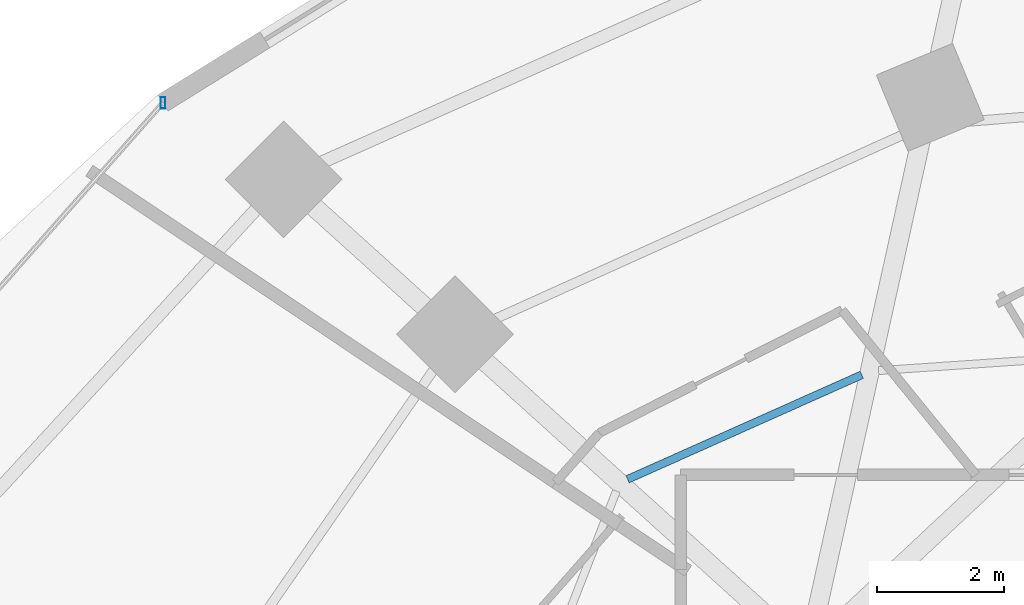
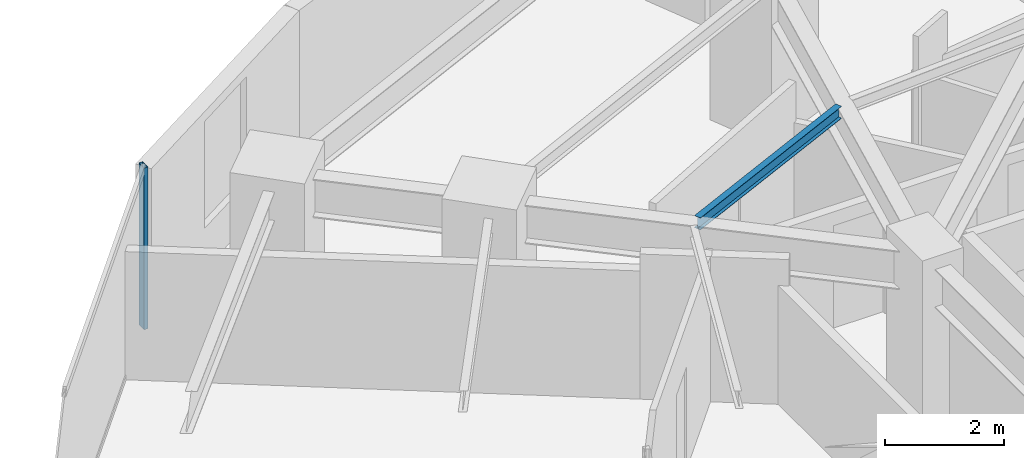
# One storey, part 19 of 33: 1 beam, 1 member, 1 element without a shape of its own.
"""IFC4 building model written with IfcOpenShell, lengths in metres."""

from ifc_helpers import new_model, si_unit, direction, frame, origin, origin_2d, place, context, subcontext, project, spatial, hollow_rectangle, i_section, extrude, material, material_profile, profile_set, type_object, element, aggregate, save


model = new_model("IFC4")

# Units and contexts
model_context = context("Model", 3, precision=1e-05, world=origin(), true_north=direction((0.0, 1.0)))
body_context = subcontext(model_context, "Body", "Model", "MODEL_VIEW")
ifc_project = project(units=[si_unit("LENGTHUNIT", "METRE"), si_unit("AREAUNIT", "SQUARE_METRE"), si_unit("VOLUMEUNIT", "CUBIC_METRE"), si_unit("PLANEANGLEUNIT", "RADIAN"), si_unit("MASSUNIT", "GRAM", prefix="KILO")], contexts=[model_context])

# Site, building, storey
site_placement = place(None, origin())
site = spatial("IfcSite", under=ifc_project, at=site_placement, CompositionType="ELEMENT")
building_placement = place(site_placement, origin())
building = spatial("IfcBuilding", under=site, at=building_placement, Name="Vorneva Point Tower", CompositionType="ELEMENT")
storey_placement = place(building_placement, frame((0.0, 0.0, 34.5)))
storey = spatial("IfcBuildingStorey", under=building, at=storey_placement, Name="L08", CompositionType="ELEMENT", Elevation=34.5)

# Beam
ifc_material_1 = material(Name="Steel S355", Category="steel")
ifc_material_profile_1 = material_profile(ifc_material_1, i_section(OverallWidth=0.1240234375, OverallDepth=0.248046875, WebThickness=0.0048828125, FlangeThickness=0.008056640625, at=origin_2d()), Name="25B1")
ifc_profile_set_1 = profile_set([ifc_material_profile_1], Name="Steel S355")
beam_type = type_object("IfcBeamType", Name="BM-JST-25B1", PredefinedType="JOIST", material=ifc_profile_set_1)
beam_placement = place(storey_placement, frame((28.10205078125, 37.52490234375, 3.115966796875), z_axis=(-0.913186925574, -0.40754096599, 0.0), x_axis=(0.40754096599, -0.913186925574, 0.0)))
element("IfcBeam", 1, at=beam_placement, inside=storey, type_object=beam_type, Name="L08 Secondary Floor Beam 2.06", PredefinedType="JOIST", context=body_context, shape_type="SweptSolid", body=[
    extrude(i_section(OverallWidth=0.1240234375, OverallDepth=0.248046875, WebThickness=0.0048828125, FlangeThickness=0.008056640625, at=origin_2d()), origin(), (0.0, 0.0, 1.0), 4.036376953125),
])

# Curtain wall, member
ifc_material_2 = material(Name="Pale anodised aluminium", Category="aluminium")
curtain_wall_type = type_object("IfcCurtainWallType", Name="CW-HTL-SYS", PredefinedType="NOTDEFINED", material=ifc_material_2)
curtain_wall_placement = place(storey_placement, origin())
curtain_wall = element("IfcCurtainWall", 2, at=curtain_wall_placement, inside=storey, type_object=curtain_wall_type, Name="L08 Unitised Curtain Wall CW-L08-R03", PredefinedType="NOTDEFINED")
ifc_material_profile_2 = material_profile(ifc_material_2, hollow_rectangle(XDim=0.074951171875, YDim=0.179931640625, WallThickness=0.00390625, at=origin_2d()), Name="AL-MUL 180x75x4")
ifc_profile_set_2 = profile_set([ifc_material_profile_2], Name="Pale anodised aluminium")
member_type = type_object("IfcMemberType", Name="CW-MUL-180", PredefinedType="MULLION", material=ifc_profile_set_2)
member_placement = place(storey_placement, frame((17.10498046875, 41.8037109375, -0.0400390625), z_axis=(0.0, 0.0, 1.0), x_axis=(1.0, 0.0, 0.0)))
member = element("IfcMember", 3, at=member_placement, type_object=member_type, Name="CW-L08-R03 Mullion 01", PredefinedType="MULLION", context=body_context, shape_type="SweptSolid", body=[
    extrude(hollow_rectangle(XDim=0.074951171875, YDim=0.179931640625, WallThickness=0.00390625, at=origin_2d()), origin(), (0.0, 0.0, 1.0), 3.31005859375),
])
aggregate(curtain_wall, [member])

save(model, "model.ifc")
